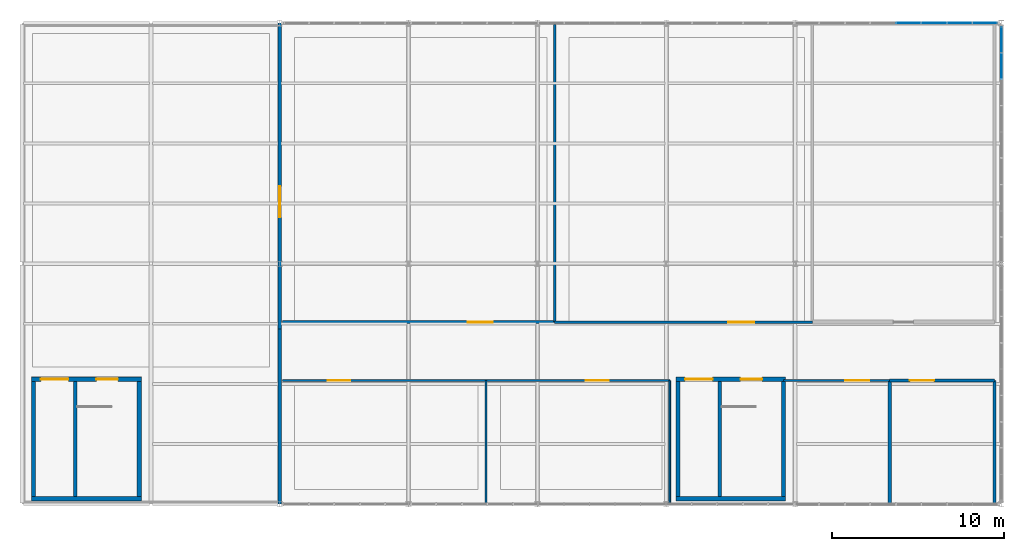
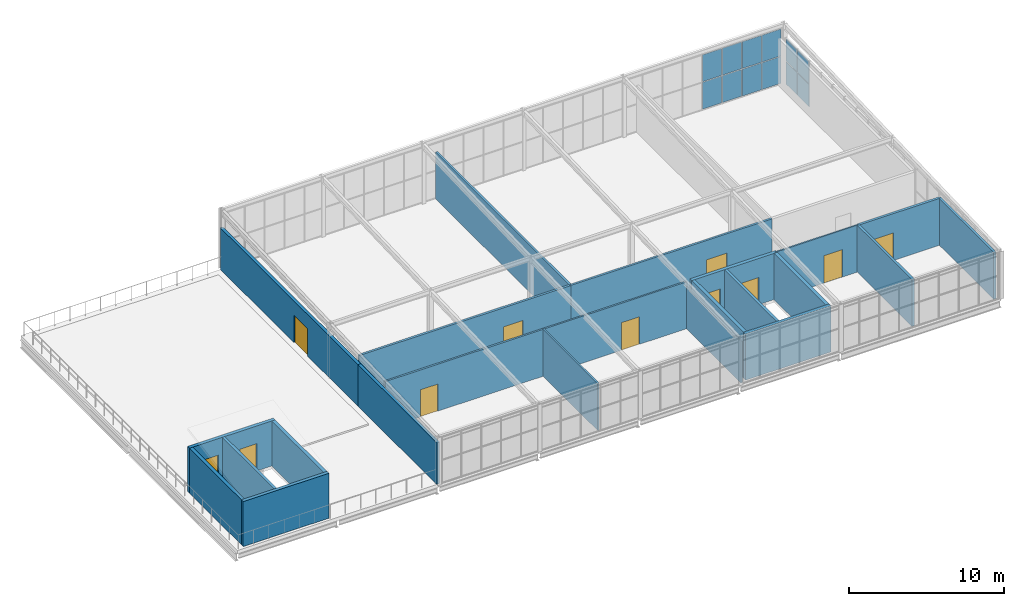
# One storey, part 25 of 27: 23 walls, 12 plates, 11 doors, 11 openings, 2 elements without a shape of their own.
"""IFC4 building model written with IfcOpenShell, lengths in metres."""

from ifc_helpers import new_model, si_unit, direction, frame, frame_2d, origin, origin_2d, place, context, subcontext, project, spatial, rectangle, extrude, material, layer, layer_set, type_object, element, fill, aggregate, save


model = new_model("IFC4")

# Units and contexts
model_context = context("Model", 3, precision=1e-05, world=origin(), true_north=direction((0.0, 1.0)))
body_context = subcontext(model_context, "Body", "Model", "MODEL_VIEW")
ifc_project = project(units=[si_unit("LENGTHUNIT", "METRE"), si_unit("AREAUNIT", "SQUARE_METRE"), si_unit("VOLUMEUNIT", "CUBIC_METRE"), si_unit("PLANEANGLEUNIT", "RADIAN"), si_unit("MASSUNIT", "GRAM", prefix="KILO")], contexts=[model_context])

# Site, building, storey
site_placement = place(None, origin())
site = spatial("IfcSite", under=ifc_project, at=site_placement, CompositionType="ELEMENT")
building_placement = place(site_placement, origin())
building = spatial("IfcBuilding", under=site, at=building_placement, Name="Solvenia Promenade Tram Depot", CompositionType="ELEMENT")
storey_placement = place(building_placement, frame((0.0, 0.0, 13.5)))
storey = spatial("IfcBuildingStorey", under=building, at=storey_placement, Name="L03", CompositionType="ELEMENT", Elevation=13.5)

# Curtain wall, plates
ifc_material_1 = material(Name="Anodized aluminium AW-6063 T6", Category="aluminium")
ifc_layer_1 = layer(ifc_material_1, 0.199951171875, Name="Anodized aluminium AW-6063 T6", Category="aluminium")
ifc_layer_set_1 = layer_set([ifc_layer_1], Name="Anodized aluminium AW-6063 T6")
curtain_wall_type = type_object("IfcCurtainWallType", Name="CW-OCC-1500", PredefinedType="NOTDEFINED", material=ifc_layer_set_1)
curtain_wall_1_placement = place(storey_placement, origin())
curtain_wall_1 = element("IfcCurtainWall", 1, at=curtain_wall_1_placement, inside=storey, type_object=curtain_wall_type, Name="Curtain Wall CW-L03-V2N", PredefinedType="NOTDEFINED")
ifc_material_2 = material(Name="Double low-e argon insulated glass", Category="glass")
ifc_layer_2 = layer(ifc_material_2, 0.031982421875, Name="Double low-e argon insulated glass", Category="glass")
ifc_layer_set_2 = layer_set([ifc_layer_2], Name="Double low-e argon insulated glass")
plate_type_1 = type_object("IfcPlateType", Name="CWP-Panel-2", PredefinedType="CURTAIN_PANEL", material=ifc_layer_set_2)
plate_1_placement = place(storey_placement, frame((156.60009765625, 66.0, 0.05517578125), z_axis=(0.0, 0.0, 1.0), x_axis=(1.0, 0.0, 0.0)))
plate_1 = element("IfcPlate", 2, at=plate_1_placement, type_object=plate_type_1, Name="CW-8 panel 25.1", PredefinedType="CURTAIN_PANEL", context=body_context, shape_type="SweptSolid", body=[
    extrude(rectangle(XDim=1.4306640625, YDim=0.031982421875, at=origin_2d()), origin(), (0.0, 0.0, 1.0), 2.117431640625),
])
plate_2_placement = place(storey_placement, frame((156.60009765625, 66.0, 2.2275390625), z_axis=(0.0, 0.0, 1.0), x_axis=(1.0, 0.0, 0.0)))
plate_2 = element("IfcPlate", 3, at=plate_2_placement, type_object=plate_type_1, Name="CW-8 panel 25.2", PredefinedType="CURTAIN_PANEL", context=body_context, shape_type="SweptSolid", body=[
    extrude(rectangle(XDim=1.4306640625, YDim=0.031982421875, at=origin_2d()), origin(), (0.0, 0.0, 1.0), 2.117431640625),
])
plate_3_placement = place(storey_placement, frame((158.085693359375, 66.0, 0.05517578125), z_axis=(0.0, 0.0, 1.0), x_axis=(1.0, 0.0, 0.0)))
plate_3 = element("IfcPlate", 4, at=plate_3_placement, type_object=plate_type_1, Name="CW-8 panel 26.1", PredefinedType="CURTAIN_PANEL", context=body_context, shape_type="SweptSolid", body=[
    extrude(rectangle(XDim=1.4306640625, YDim=0.031982421875, at=origin_2d()), origin(), (0.0, 0.0, 1.0), 2.117431640625),
])
plate_4_placement = place(storey_placement, frame((158.085693359375, 66.0, 2.2275390625), z_axis=(0.0, 0.0, 1.0), x_axis=(1.0, 0.0, 0.0)))
plate_4 = element("IfcPlate", 5, at=plate_4_placement, type_object=plate_type_1, Name="CW-8 panel 26.2", PredefinedType="CURTAIN_PANEL", context=body_context, shape_type="SweptSolid", body=[
    extrude(rectangle(XDim=1.4306640625, YDim=0.031982421875, at=origin_2d()), origin(), (0.0, 0.0, 1.0), 2.117431640625),
])
plate_5_placement = place(storey_placement, frame((159.571533203125, 66.0, 0.05517578125), z_axis=(0.0, 0.0, 1.0), x_axis=(1.0, 0.0, 0.0)))
plate_5 = element("IfcPlate", 6, at=plate_5_placement, type_object=plate_type_1, Name="CW-8 panel 27.1", PredefinedType="CURTAIN_PANEL", context=body_context, shape_type="SweptSolid", body=[
    extrude(rectangle(XDim=1.4306640625, YDim=0.031982421875, at=origin_2d()), origin(), (0.0, 0.0, 1.0), 2.117431640625),
])
plate_6_placement = place(storey_placement, frame((159.571533203125, 66.0, 2.2275390625), z_axis=(0.0, 0.0, 1.0), x_axis=(1.0, 0.0, 0.0)))
plate_6 = element("IfcPlate", 7, at=plate_6_placement, type_object=plate_type_1, Name="CW-8 panel 27.2", PredefinedType="CURTAIN_PANEL", context=body_context, shape_type="SweptSolid", body=[
    extrude(rectangle(XDim=1.4306640625, YDim=0.031982421875, at=origin_2d()), origin(), (0.0, 0.0, 1.0), 2.117431640625),
])
plate_7_placement = place(storey_placement, frame((161.04345703125, 66.0, 0.05517578125), z_axis=(0.0, 0.0, 1.0), x_axis=(1.0, 0.0, 0.0)))
plate_7 = element("IfcPlate", 8, at=plate_7_placement, type_object=plate_type_1, Name="CW-8 panel 28.1", PredefinedType="CURTAIN_PANEL", context=body_context, shape_type="SweptSolid", body=[
    extrude(rectangle(XDim=1.4033203125, YDim=0.031982421875, at=origin_2d()), origin(), (0.0, 0.0, 1.0), 2.117431640625),
])
plate_8_placement = place(storey_placement, frame((161.04345703125, 66.0, 2.2275390625), z_axis=(0.0, 0.0, 1.0), x_axis=(1.0, 0.0, 0.0)))
plate_8 = element("IfcPlate", 9, at=plate_8_placement, type_object=plate_type_1, Name="CW-8 panel 28.2", PredefinedType="CURTAIN_PANEL", context=body_context, shape_type="SweptSolid", body=[
    extrude(rectangle(XDim=1.4033203125, YDim=0.031982421875, at=origin_2d()), origin(), (0.0, 0.0, 1.0), 2.117431640625),
])
aggregate(curtain_wall_1, [plate_1, plate_2, plate_3, plate_4, plate_5, plate_6, plate_7, plate_8])

curtain_wall_2_placement = place(storey_placement, origin())
curtain_wall_2 = element("IfcCurtainWall", 10, at=curtain_wall_2_placement, inside=storey, type_object=curtain_wall_type, Name="Curtain Wall CW-L03-V2E", PredefinedType="NOTDEFINED")
ifc_layer_3 = layer(ifc_material_2, 0.035888671875, Name="Double low-e argon insulated glass", Category="glass")
ifc_layer_set_3 = layer_set([ifc_layer_3], Name="Double low-e argon insulated glass")
plate_type_2 = type_object("IfcPlateType", Name="CWP-Panel-3", PredefinedType="CURTAIN_PANEL", material=ifc_layer_set_3)
plate_9_placement = place(storey_placement, frame((162.0, 63.5, 0.05810546875), z_axis=(0.0, 0.0, 1.0), x_axis=(0.0, 1.0, 0.0)))
plate_9 = element("IfcPlate", 11, at=plate_9_placement, type_object=plate_type_2, Name="CW-8 panel 17.1", PredefinedType="CURTAIN_PANEL", context=body_context, shape_type="SweptSolid", body=[
    extrude(rectangle(XDim=1.4853515625, YDim=0.035888671875, at=origin_2d()), origin(), (0.0, 0.0, 1.0), 1.762939453125),
])
plate_10_placement = place(storey_placement, frame((162.0, 63.5, 1.87890625), z_axis=(0.0, 0.0, 1.0), x_axis=(0.0, 1.0, 0.0)))
plate_10 = element("IfcPlate", 12, at=plate_10_placement, type_object=plate_type_2, Name="CW-8 panel 17.2", PredefinedType="CURTAIN_PANEL", context=body_context, shape_type="SweptSolid", body=[
    extrude(rectangle(XDim=1.4853515625, YDim=0.035888671875, at=origin_2d()), origin(), (0.0, 0.0, 1.0), 1.762939453125),
])
plate_11_placement = place(storey_placement, frame((162.0, 65.021240234375, 0.05810546875), z_axis=(0.0, 0.0, 1.0), x_axis=(0.0, 1.0, 0.0)))
plate_11 = element("IfcPlate", 13, at=plate_11_placement, type_object=plate_type_2, Name="CW-8 panel 18.1", PredefinedType="CURTAIN_PANEL", context=body_context, shape_type="SweptSolid", body=[
    extrude(rectangle(XDim=1.46142578125, YDim=0.035888671875, at=origin_2d()), origin(), (0.0, 0.0, 1.0), 1.762939453125),
])
plate_12_placement = place(storey_placement, frame((162.0, 65.021240234375, 1.87890625), z_axis=(0.0, 0.0, 1.0), x_axis=(0.0, 1.0, 0.0)))
plate_12 = element("IfcPlate", 14, at=plate_12_placement, type_object=plate_type_2, Name="CW-8 panel 18.2", PredefinedType="CURTAIN_PANEL", context=body_context, shape_type="SweptSolid", body=[
    extrude(rectangle(XDim=1.46142578125, YDim=0.035888671875, at=origin_2d()), origin(), (0.0, 0.0, 1.0), 1.762939453125),
])
aggregate(curtain_wall_2, [plate_9, plate_10, plate_11, plate_12])

# Wall, opening, door
ifc_material_3 = material(Name="Concrete C35/45", Category="concrete")
ifc_layer_4 = layer(ifc_material_3, 0.219970703125, Name="Concrete C35/45", Category="concrete")
ifc_layer_set_4 = layer_set([ifc_layer_4], Name="Concrete C35/45")
wall_type_1 = type_object("IfcWallType", Name="Wall-Clad-220", PredefinedType="SOLIDWALL", material=ifc_layer_set_4)
wall_1_placement = place(storey_placement, frame((120.0, 48.199951171875, 0.0), z_axis=(0.0, 0.0, 1.0), x_axis=(0.0, 1.0, 0.0)))
wall_1 = element("IfcWall", 15, at=wall_1_placement, inside=storey, type_object=wall_type_1, Name="Operations Control Hub West Terrace Wall EW-L03-067", PredefinedType="SOLIDWALL", context=body_context, shape_type="SweptSolid", body=[
    extrude(rectangle(XDim=17.800048828125, YDim=0.219970703125, at=frame_2d((8.89990234375, 0.0))), origin(), (0.0, 0.0, 1.0), 3.284912109375),
])
opening_1_placement = place(wall_1_placement, frame((6.5, 0.0, 0.0)))
opening_1 = element("IfcOpeningElement", 16, at=opening_1_placement, cuts=wall_1, Name="Opening TD-03", PredefinedType="OPENING", context=body_context, shape_type="SweptSolid", body=[
    extrude(rectangle(XDim=1.800048828125, YDim=2.14990234375, at=frame_2d((0.89990234375, 1.074951171875))), frame((0.0, 0.119873046875, 0.0), z_axis=(0.0, -1.0, 0.0), x_axis=(1.0, 0.0, 0.0)), (0.0, 0.0, 1.0), 0.239990234375),
])
door_type_1 = type_object("IfcDoorType", Name="Door-Terr-1800x2150", OperationType="NOTDEFINED", PredefinedType="DOOR", material=ifc_material_1)
door_1_placement = place(opening_1_placement, origin())
door_1 = element("IfcDoor", 17, at=door_1_placement, inside=storey, type_object=door_type_1, Name="Workshop Roof Garden Terrace Door", OperationType="SINGLE_SWING_LEFT", OverallHeight=2.14990234375, OverallWidth=1.800048828125, PredefinedType="DOOR", context=body_context, shape_type="SweptSolid", body=[
    extrude(rectangle(XDim=1.800048828125, YDim=2.14990234375, at=frame_2d((0.89990234375, 1.074951171875))), frame((0.0, 0.02490234375, 0.0), z_axis=(0.0, -1.0, 0.0), x_axis=(1.0, 0.0, 0.0)), (0.0, 0.0, 1.0), 0.050048828125),
])
fill(opening_1, door_1)

# Walls
wall_2_placement = place(storey_placement, frame((120.0, 38.0, 0.0), z_axis=(0.0, 0.0, 1.0), x_axis=(0.0, 1.0, 0.0)))
element("IfcWall", 18, at=wall_2_placement, inside=storey, type_object=wall_type_1, Name="Control Hub South-West Wall EW-L03-068", PredefinedType="SOLIDWALL", context=body_context, shape_type="SweptSolid", body=[
    extrude(rectangle(XDim=10.199951171875, YDim=0.219970703125, at=frame_2d((5.10009765625, 0.0))), origin(), (0.0, 0.0, 1.0), 3.284912109375),
])
ifc_material_4 = material(Name="Concrete C28/35", Category="concrete")
ifc_layer_5 = layer(ifc_material_4, 0.25, Name="Concrete C28/35", Category="concrete")
ifc_layer_set_5 = layer_set([ifc_layer_5], Name="Concrete C28/35")
wall_type_2 = type_object("IfcWallType", Name="Wall-Core-250", PredefinedType="SHEAR", material=ifc_layer_set_5)
wall_3_placement = place(storey_placement, frame((105.550048828125, 38.324951171875, 0.0), z_axis=(0.0, 0.0, 1.0), x_axis=(1.0, 0.0, 0.0)))
element("IfcWall", 19, at=wall_3_placement, inside=storey, type_object=wall_type_2, Name="Core C5 Shear Wall WC-C5-L03-S", PredefinedType="SHEAR", context=body_context, shape_type="SweptSolid", body=[
    extrude(rectangle(XDim=6.39990234375, YDim=0.25, at=frame_2d((3.199951171875, 0.0))), origin(), (0.0, 0.0, 1.0), 3.550048828125),
])

# Wall, openings, doors
wall_4_placement = place(storey_placement, frame((105.550048828125, 45.27490234375, 0.0), z_axis=(0.0, 0.0, 1.0), x_axis=(1.0, 0.0, 0.0)))
wall_4 = element("IfcWall", 20, at=wall_4_placement, inside=storey, type_object=wall_type_2, Name="Core C5 Shear Wall WC-C5-L03-N", PredefinedType="SHEAR", context=body_context, shape_type="SweptSolid", body=[
    extrude(rectangle(XDim=6.39990234375, YDim=0.25, at=frame_2d((3.199951171875, 0.0))), origin(), (0.0, 0.0, 1.0), 3.550048828125),
])
opening_2_placement = place(wall_4_placement, frame((0.550048828125, 0.0, 0.0)))
opening_2 = element("IfcOpeningElement", 21, at=opening_2_placement, cuts=wall_4, Name="Opening LD-05", PredefinedType="OPENING", context=body_context, shape_type="SweptSolid", body=[
    extrude(rectangle(XDim=1.60009765625, YDim=2.25, at=frame_2d((0.800048828125, 1.125))), frame((0.0, 0.135009765625, 0.0), z_axis=(0.0, -1.0, 0.0), x_axis=(1.0, 0.0, 0.0)), (0.0, 0.0, 1.0), 0.27001953125),
])
opening_3_placement = place(wall_4_placement, frame((3.77490234375, 0.0, 0.0)))
opening_3 = element("IfcOpeningElement", 22, at=opening_3_placement, cuts=wall_4, Name="Opening D-FD90", PredefinedType="OPENING", context=body_context, shape_type="SweptSolid", body=[
    extrude(rectangle(XDim=1.25, YDim=2.14990234375, at=frame_2d((0.625, 1.074951171875))), frame((0.0, 0.135009765625, 0.0), z_axis=(0.0, -1.0, 0.0), x_axis=(1.0, 0.0, 0.0)), (0.0, 0.0, 1.0), 0.27001953125),
])
ifc_material_5 = material(Name="Galvanized painted sheet steel", Category="steel")
door_type_2 = type_object("IfcDoorType", Name="Door-Lift-Goods-1600", OperationType="DOUBLE_DOOR_SLIDING", PredefinedType="DOOR", material=ifc_material_5)
door_2_placement = place(opening_2_placement, origin())
door_2 = element("IfcDoor", 23, at=door_2_placement, inside=storey, type_object=door_type_2, Name="Lift Landing Door LG-01 L03", OperationType="DOUBLE_DOOR_SLIDING", OverallHeight=2.25, OverallWidth=1.60009765625, PredefinedType="DOOR", context=body_context, shape_type="SweptSolid", body=[
    extrude(rectangle(XDim=1.60009765625, YDim=2.25, at=frame_2d((0.800048828125, 1.125))), frame((0.0, 0.02490234375, 0.0), z_axis=(0.0, -1.0, 0.0), x_axis=(1.0, 0.0, 0.0)), (0.0, 0.0, 1.0), 0.050048828125),
])
fill(opening_2, door_2)
door_type_3 = type_object("IfcDoorType", Name="Door-Stair-FD90", OperationType="NOTDEFINED", PredefinedType="DOOR", material=ifc_material_5)
door_3_placement = place(opening_3_placement, origin())
door_3 = element("IfcDoor", 24, at=door_3_placement, inside=storey, type_object=door_type_3, Name="Exit Stair Door C5 L03", OperationType="SINGLE_SWING_LEFT", OverallHeight=2.14990234375, OverallWidth=1.25, PredefinedType="DOOR", context=body_context, shape_type="SweptSolid", body=[
    extrude(rectangle(XDim=1.25, YDim=2.14990234375, at=frame_2d((0.625, 1.074951171875))), frame((0.0, 0.02490234375, 0.0), z_axis=(0.0, -1.0, 0.0), x_axis=(1.0, 0.0, 0.0)), (0.0, 0.0, 1.0), 0.050048828125),
])
fill(opening_3, door_3)

# Walls
for number, where, z_axis, x_axis, name in (
    (25, (105.675048828125, 38.449951171875, 0.0), (0.0, 0.0, 1.0), (0.0, 1.0, 0.0), "Core C5 Shear Wall WC-C5-L03-W"),
    (26, (111.824951171875, 38.449951171875, 0.0), (0.0, 0.0, 1.0), (0.0, 1.0, 0.0), "Core C5 Shear Wall WC-C5-L03-E"),
):
    element("IfcWall", number, at=place(storey_placement, frame(where, z_axis=z_axis, x_axis=x_axis)), inside=storey, type_object=wall_type_2, Name=name, PredefinedType="SHEAR", context=body_context, shape_type="SweptSolid", body=[
        extrude(rectangle(XDim=6.699951171875, YDim=0.25, at=frame_2d((3.35009765625, 0.0))), origin(), (0.0, 0.0, 1.0), 3.550048828125),
    ])
wall_5_placement = place(storey_placement, frame((143.050048828125, 38.324951171875, 0.0), z_axis=(0.0, 0.0, 1.0), x_axis=(1.0, 0.0, 0.0)))
element("IfcWall", 27, at=wall_5_placement, inside=storey, type_object=wall_type_2, Name="Core C6 Shear Wall WC-C6-L03-S", PredefinedType="SHEAR", context=body_context, shape_type="SweptSolid", body=[
    extrude(rectangle(XDim=6.39990234375, YDim=0.25, at=frame_2d((3.199951171875, 0.0))), origin(), (0.0, 0.0, 1.0), 3.64990234375),
])

# Wall, openings, doors
wall_6_placement = place(storey_placement, frame((143.050048828125, 45.27490234375, 0.0), z_axis=(0.0, 0.0, 1.0), x_axis=(1.0, 0.0, 0.0)))
wall_6 = element("IfcWall", 28, at=wall_6_placement, inside=storey, type_object=wall_type_2, Name="Core C6 Shear Wall WC-C6-L03-N", PredefinedType="SHEAR", context=body_context, shape_type="SweptSolid", body=[
    extrude(rectangle(XDim=6.39990234375, YDim=0.25, at=frame_2d((3.199951171875, 0.0))), origin(), (0.0, 0.0, 1.0), 3.64990234375),
])
opening_4_placement = place(wall_6_placement, frame((0.550048828125, 0.0, 0.0)))
opening_4 = element("IfcOpeningElement", 29, at=opening_4_placement, cuts=wall_6, Name="Opening LD-06", PredefinedType="OPENING", context=body_context, shape_type="SweptSolid", body=[
    extrude(rectangle(XDim=1.60009765625, YDim=2.25, at=frame_2d((0.800048828125, 1.125))), frame((0.0, 0.135009765625, 0.0), z_axis=(0.0, -1.0, 0.0), x_axis=(1.0, 0.0, 0.0)), (0.0, 0.0, 1.0), 0.27001953125),
])
opening_5_placement = place(wall_6_placement, frame((3.77490234375, 0.0, 0.0)))
opening_5 = element("IfcOpeningElement", 30, at=opening_5_placement, cuts=wall_6, Name="Opening D-FD90", PredefinedType="OPENING", context=body_context, shape_type="SweptSolid", body=[
    extrude(rectangle(XDim=1.25, YDim=2.14990234375, at=frame_2d((0.625, 1.074951171875))), frame((0.0, 0.135009765625, 0.0), z_axis=(0.0, -1.0, 0.0), x_axis=(1.0, 0.0, 0.0)), (0.0, 0.0, 1.0), 0.27001953125),
])
door_4_placement = place(opening_4_placement, origin())
door_4 = element("IfcDoor", 31, at=door_4_placement, inside=storey, type_object=door_type_2, Name="Lift Landing Door LG-02 L03", OperationType="DOUBLE_DOOR_SLIDING", OverallHeight=2.25, OverallWidth=1.60009765625, PredefinedType="DOOR", context=body_context, shape_type="SweptSolid", body=[
    extrude(rectangle(XDim=1.60009765625, YDim=2.25, at=frame_2d((0.800048828125, 1.125))), frame((0.0, 0.02490234375, 0.0), z_axis=(0.0, -1.0, 0.0), x_axis=(1.0, 0.0, 0.0)), (0.0, 0.0, 1.0), 0.050048828125),
])
fill(opening_4, door_4)
door_5_placement = place(opening_5_placement, frame((1.25, 0.0, 0.0), z_axis=(0.0, 0.0, 1.0), x_axis=(-1.0, 0.0, 0.0)))
door_5 = element("IfcDoor", 32, at=door_5_placement, inside=storey, type_object=door_type_3, Name="Exit Stair Door C6 L03", OperationType="SINGLE_SWING_RIGHT", OverallHeight=2.14990234375, OverallWidth=1.25, PredefinedType="DOOR", context=body_context, shape_type="SweptSolid", body=[
    extrude(rectangle(XDim=1.25, YDim=2.14990234375, at=frame_2d((0.625, 1.074951171875))), frame((0.0, 0.02490234375, 0.0), z_axis=(0.0, -1.0, 0.0), x_axis=(1.0, 0.0, 0.0)), (0.0, 0.0, 1.0), 0.050048828125),
])
fill(opening_5, door_5)

# Walls
for number, where, z_axis, x_axis, name in (
    (33, (143.175048828125, 38.449951171875, 0.0), (0.0, 0.0, 1.0), (0.0, 1.0, 0.0), "Core C6 Shear Wall WC-C6-L03-W"),
    (34, (149.324951171875, 38.449951171875, 0.0), (0.0, 0.0, 1.0), (0.0, 1.0, 0.0), "Core C6 Shear Wall WC-C6-L03-E"),
):
    element("IfcWall", number, at=place(storey_placement, frame(where, z_axis=z_axis, x_axis=x_axis)), inside=storey, type_object=wall_type_2, Name=name, PredefinedType="SHEAR", context=body_context, shape_type="SweptSolid", body=[
        extrude(rectangle(XDim=6.699951171875, YDim=0.25, at=frame_2d((3.35009765625, 0.0))), origin(), (0.0, 0.0, 1.0), 3.64990234375),
    ])
ifc_material_6 = material(Name="Concrete blockwork masonry", Category="masonry")
ifc_layer_6 = layer(ifc_material_6, 0.152099609375, Name="Concrete blockwork masonry", Category="masonry")
ifc_layer_set_6 = layer_set([ifc_layer_6], Name="Concrete blockwork masonry")
wall_type_3 = type_object("IfcWallType", Name="Wall-Masonry-152", PredefinedType="PARTITIONING", material=ifc_layer_set_6)
wall_7_placement = place(storey_placement, frame((136.0, 48.60009765625, 0.0), z_axis=(0.0, 0.0, 1.0), x_axis=(0.0, 1.0, 0.0)))
element("IfcWall", 35, at=wall_7_placement, inside=storey, type_object=wall_type_3, Name="Operations Control Room Dividing Wall WP-L03-124", PredefinedType="PARTITIONING", context=body_context, shape_type="SweptSolid", body=[
    extrude(rectangle(XDim=17.31982421875, YDim=0.152099609375, at=frame_2d((8.659912109375, 0.0))), origin(), (0.0, 0.0, 1.0), 3.699951171875),
])

# Wall, opening, door
wall_8_placement = place(storey_placement, frame((136.0, 48.60009765625, 0.0), z_axis=(0.0, 0.0, 1.0), x_axis=(1.0, 0.0, 0.0)))
wall_8 = element("IfcWall", 36, at=wall_8_placement, inside=storey, type_object=wall_type_3, Name="Tram Simulator Hall Partition WP-L03-125", PredefinedType="PARTITIONING", context=body_context, shape_type="SweptSolid", body=[
    extrude(rectangle(XDim=15.0, YDim=0.152099609375, at=frame_2d((7.5, 0.0))), origin(), (0.0, 0.0, 1.0), 3.699951171875),
])
opening_6_placement = place(wall_8_placement, frame((10.110107421875, 0.0, 0.0)))
opening_6 = element("IfcOpeningElement", 37, at=opening_6_placement, cuts=wall_8, Name="Opening DR-28", PredefinedType="OPENING", context=body_context, shape_type="SweptSolid", body=[
    extrude(rectangle(XDim=1.52001953125, YDim=2.179931640625, at=frame_2d((0.760009765625, 1.08984375))), frame((0.0, 0.0859375, 0.0), z_axis=(0.0, -1.0, 0.0), x_axis=(1.0, 0.0, 0.0)), (0.0, 0.0, 1.0), 0.172119140625),
])
door_type_4 = type_object("IfcDoorType", Name="Door-Room-1520x2180", OperationType="NOTDEFINED", PredefinedType="DOOR", material=ifc_material_5)
door_6_placement = place(opening_6_placement, origin())
door_6 = element("IfcDoor", 38, at=door_6_placement, inside=storey, type_object=door_type_4, Name="Door to Tram Simulator Hall", OperationType="SINGLE_SWING_RIGHT", OverallHeight=2.179931640625, OverallWidth=1.52001953125, PredefinedType="DOOR", context=body_context, shape_type="SweptSolid", body=[
    extrude(rectangle(XDim=1.52001953125, YDim=2.179931640625, at=frame_2d((0.760009765625, 1.08984375))), frame((0.0, 0.02490234375, 0.0), z_axis=(0.0, -1.0, 0.0), x_axis=(1.0, 0.0, 0.0)), (0.0, 0.0, 1.0), 0.050048828125),
])
fill(opening_6, door_6)

# Wall
ifc_layer_7 = layer(ifc_material_6, 0.16796875, Name="Concrete blockwork masonry", Category="masonry")
ifc_layer_set_7 = layer_set([ifc_layer_7], Name="Concrete blockwork masonry")
wall_type_4 = type_object("IfcWallType", Name="Wall-Masonry-168", PredefinedType="PARTITIONING", material=ifc_layer_set_7)
wall_9_placement = place(storey_placement, frame((161.60009765625, 38.080078125, 0.0), z_axis=(0.0, 0.0, 1.0), x_axis=(0.0, 1.0, 0.0)))
element("IfcWall", 39, at=wall_9_placement, inside=storey, type_object=wall_type_4, Name="Third Floor Accessible WC Dividing Wall WP-L03-122", PredefinedType="PARTITIONING", context=body_context, shape_type="SweptSolid", body=[
    extrude(rectangle(XDim=7.119873046875, YDim=0.16796875, at=frame_2d((3.56005859375, 0.0))), origin(), (0.0, 0.0, 1.0), 3.699951171875),
])

# Wall, opening, door
wall_10_placement = place(storey_placement, frame((120.159912109375, 48.60009765625, 0.0), z_axis=(0.0, 0.0, 1.0), x_axis=(1.0, 0.0, 0.0)))
wall_10 = element("IfcWall", 40, at=wall_10_placement, inside=storey, type_object=wall_type_4, Name="Operations Control Room Partition WP-L03-123", PredefinedType="PARTITIONING", context=body_context, shape_type="SweptSolid", body=[
    extrude(rectangle(XDim=15.840087890625, YDim=0.16796875, at=frame_2d((7.919921875, 0.0))), origin(), (0.0, 0.0, 1.0), 3.699951171875),
])
opening_7_placement = place(wall_10_placement, frame((10.784912109375, 0.0, 0.0)))
opening_7 = element("IfcOpeningElement", 41, at=opening_7_placement, cuts=wall_10, Name="Opening DR-27", PredefinedType="OPENING", context=body_context, shape_type="SweptSolid", body=[
    extrude(rectangle(XDim=1.4599609375, YDim=2.199951171875, at=frame_2d((0.72998046875, 1.10009765625))), frame((0.0, 0.093994140625, 0.0), z_axis=(0.0, -1.0, 0.0), x_axis=(1.0, 0.0, 0.0)), (0.0, 0.0, 1.0), 0.18798828125),
])
door_type_5 = type_object("IfcDoorType", Name="Door-Room-1460x2200", OperationType="NOTDEFINED", PredefinedType="DOOR", material=ifc_material_5)
door_7_placement = place(opening_7_placement, origin())
door_7 = element("IfcDoor", 42, at=door_7_placement, inside=storey, type_object=door_type_5, Name="Door to Operations Control Room", OperationType="SINGLE_SWING_LEFT", OverallHeight=2.199951171875, OverallWidth=1.4599609375, PredefinedType="DOOR", context=body_context, shape_type="SweptSolid", body=[
    extrude(rectangle(XDim=1.4599609375, YDim=2.199951171875, at=frame_2d((0.72998046875, 1.10009765625))), frame((0.0, 0.02490234375, 0.0), z_axis=(0.0, -1.0, 0.0), x_axis=(1.0, 0.0, 0.0)), (0.0, 0.0, 1.0), 0.050048828125),
])
fill(opening_7, door_7)

# Wall
ifc_layer_8 = layer(ifc_material_6, 0.18505859375, Name="Concrete blockwork masonry", Category="masonry")
ifc_layer_set_8 = layer_set([ifc_layer_8], Name="Concrete blockwork masonry")
wall_type_5 = type_object("IfcWallType", Name="Wall-Masonry-185", PredefinedType="PARTITIONING", material=ifc_layer_set_8)
wall_11_placement = place(storey_placement, frame((155.5, 38.080078125, 0.0), z_axis=(0.0, 0.0, 1.0), x_axis=(0.0, 1.0, 0.0)))
element("IfcWall", 43, at=wall_11_placement, inside=storey, type_object=wall_type_5, Name="Third Floor Staff WC Dividing Wall WP-L03-120", PredefinedType="PARTITIONING", context=body_context, shape_type="SweptSolid", body=[
    extrude(rectangle(XDim=7.119873046875, YDim=0.18505859375, at=frame_2d((3.56005859375, 0.0))), origin(), (0.0, 0.0, 1.0), 3.699951171875),
])

# Wall, opening, door
wall_12_placement = place(storey_placement, frame((155.5, 45.199951171875, 0.0), z_axis=(0.0, 0.0, 1.0), x_axis=(1.0, 0.0, 0.0)))
wall_12 = element("IfcWall", 44, at=wall_12_placement, inside=storey, type_object=wall_type_5, Name="Third Floor Accessible WC Partition WP-L03-121", PredefinedType="PARTITIONING", context=body_context, shape_type="SweptSolid", body=[
    extrude(rectangle(XDim=6.10009765625, YDim=0.18505859375, at=frame_2d((3.050048828125, 0.0))), origin(), (0.0, 0.0, 1.0), 3.699951171875),
])
opening_8_placement = place(wall_12_placement, frame((1.169921875, 0.0, 0.0)))
opening_8 = element("IfcOpeningElement", 45, at=opening_8_placement, cuts=wall_12, Name="Opening DR-26", PredefinedType="OPENING", context=body_context, shape_type="SweptSolid", body=[
    extrude(rectangle(XDim=1.419921875, YDim=2.179931640625, at=frame_2d((0.7099609375, 1.08984375))), frame((0.0, 0.1025390625, 0.0), z_axis=(0.0, -1.0, 0.0), x_axis=(1.0, 0.0, 0.0)), (0.0, 0.0, 1.0), 0.205078125),
])
door_type_6 = type_object("IfcDoorType", Name="Door-Room-1420x2180", OperationType="NOTDEFINED", PredefinedType="DOOR", material=ifc_material_5)
door_8_placement = place(opening_8_placement, origin())
door_8 = element("IfcDoor", 46, at=door_8_placement, inside=storey, type_object=door_type_6, Name="Door to Third Floor Accessible WC", OperationType="SINGLE_SWING_RIGHT", OverallHeight=2.179931640625, OverallWidth=1.419921875, PredefinedType="DOOR", context=body_context, shape_type="SweptSolid", body=[
    extrude(rectangle(XDim=1.419921875, YDim=2.179931640625, at=frame_2d((0.7099609375, 1.08984375))), frame((0.0, 0.02490234375, 0.0), z_axis=(0.0, -1.0, 0.0), x_axis=(1.0, 0.0, 0.0)), (0.0, 0.0, 1.0), 0.050048828125),
])
fill(opening_8, door_8)

# Wall
ifc_material_7 = material(Name="Gypsum board acoustic partition", Category="other")
ifc_layer_9 = layer(ifc_material_7, 0.10595703125, Name="Gypsum board acoustic partition", Category="other")
ifc_layer_set_9 = layer_set([ifc_layer_9], Name="Gypsum board acoustic partition")
wall_type_6 = type_object("IfcWallType", Name="Wall-Part-106", PredefinedType="PARTITIONING", material=ifc_layer_set_9)
wall_13_placement = place(storey_placement, frame((142.699951171875, 38.080078125, 0.0), z_axis=(0.0, 0.0, 1.0), x_axis=(0.0, 1.0, 0.0)))
element("IfcWall", 47, at=wall_13_placement, inside=storey, type_object=wall_type_6, Name="Network Telemetry Office Dividing Wall WP-L03-118", PredefinedType="PARTITIONING", context=body_context, shape_type="SweptSolid", body=[
    extrude(rectangle(XDim=7.119873046875, YDim=0.10595703125, at=frame_2d((3.56005859375, 0.0))), origin(), (0.0, 0.0, 1.0), 3.284912109375),
])

# Wall, opening, door
wall_14_placement = place(storey_placement, frame((149.324951171875, 45.199951171875, 0.0), z_axis=(0.0, 0.0, 1.0), x_axis=(1.0, 0.0, 0.0)))
wall_14 = element("IfcWall", 48, at=wall_14_placement, inside=storey, type_object=wall_type_6, Name="Third Floor Staff WC Partition WP-L03-119", PredefinedType="PARTITIONING", context=body_context, shape_type="SweptSolid", body=[
    extrude(rectangle(XDim=6.175048828125, YDim=0.10595703125, at=frame_2d((3.08740234375, 0.0))), origin(), (0.0, 0.0, 1.0), 3.699951171875),
])
opening_9_placement = place(wall_14_placement, frame((3.595947265625, 0.0, 0.0)))
opening_9 = element("IfcOpeningElement", 49, at=opening_9_placement, cuts=wall_14, Name="Opening DR-25", PredefinedType="OPENING", context=body_context, shape_type="SweptSolid", body=[
    extrude(rectangle(XDim=1.3798828125, YDim=2.159912109375, at=frame_2d((0.68994140625, 1.080078125))), frame((0.0, 0.06298828125, 0.0), z_axis=(0.0, -1.0, 0.0), x_axis=(1.0, 0.0, 0.0)), (0.0, 0.0, 1.0), 0.1259765625),
])
door_type_7 = type_object("IfcDoorType", Name="Door-Room-1380x2160", OperationType="NOTDEFINED", PredefinedType="DOOR", material=ifc_material_5)
door_9_placement = place(opening_9_placement, origin())
door_9 = element("IfcDoor", 50, at=door_9_placement, inside=storey, type_object=door_type_7, Name="Door to Third Floor Staff WC", OperationType="SINGLE_SWING_LEFT", OverallHeight=2.159912109375, OverallWidth=1.3798828125, PredefinedType="DOOR", context=body_context, shape_type="SweptSolid", body=[
    extrude(rectangle(XDim=1.3798828125, YDim=2.159912109375, at=frame_2d((0.68994140625, 1.080078125))), frame((0.0, 0.02490234375, 0.0), z_axis=(0.0, -1.0, 0.0), x_axis=(1.0, 0.0, 0.0)), (0.0, 0.0, 1.0), 0.050048828125),
])
fill(opening_9, door_9)

# Wall
ifc_layer_10 = layer(ifc_material_7, 0.1220703125, Name="Gypsum board acoustic partition", Category="other")
ifc_layer_set_10 = layer_set([ifc_layer_10], Name="Gypsum board acoustic partition")
wall_type_7 = type_object("IfcWallType", Name="Wall-Part-122", PredefinedType="PARTITIONING", material=ifc_layer_set_10)
wall_15_placement = place(storey_placement, frame((132.0, 38.080078125, 0.0), z_axis=(0.0, 0.0, 1.0), x_axis=(0.0, 1.0, 0.0)))
element("IfcWall", 51, at=wall_15_placement, inside=storey, type_object=wall_type_7, Name="Incident Command Suite Dividing Wall WP-L03-116", PredefinedType="PARTITIONING", context=body_context, shape_type="SweptSolid", body=[
    extrude(rectangle(XDim=7.119873046875, YDim=0.1220703125, at=frame_2d((3.56005859375, 0.0))), origin(), (0.0, 0.0, 1.0), 3.699951171875),
])

# Wall, opening, door
wall_16_placement = place(storey_placement, frame((132.0, 45.199951171875, 0.0), z_axis=(0.0, 0.0, 1.0), x_axis=(1.0, 0.0, 0.0)))
wall_16 = element("IfcWall", 52, at=wall_16_placement, inside=storey, type_object=wall_type_7, Name="Network Telemetry Office Partition WP-L03-117", PredefinedType="PARTITIONING", context=body_context, shape_type="SweptSolid", body=[
    extrude(rectangle(XDim=10.699951171875, YDim=0.1220703125, at=frame_2d((5.35009765625, 0.0))), origin(), (0.0, 0.0, 1.0), 3.699951171875),
])
opening_10_placement = place(wall_16_placement, frame((5.802978515625, 0.0, 0.0)))
opening_10 = element("IfcOpeningElement", 53, at=opening_10_placement, cuts=wall_16, Name="Opening DR-24", PredefinedType="OPENING", context=body_context, shape_type="SweptSolid", body=[
    extrude(rectangle(XDim=1.340087890625, YDim=2.179931640625, at=frame_2d((0.669921875, 1.08984375))), frame((0.0, 0.071044921875, 0.0), z_axis=(0.0, -1.0, 0.0), x_axis=(1.0, 0.0, 0.0)), (0.0, 0.0, 1.0), 0.14208984375),
])
door_type_8 = type_object("IfcDoorType", Name="Door-Room-1340x2180", OperationType="NOTDEFINED", PredefinedType="DOOR", material=ifc_material_5)
door_10_placement = place(opening_10_placement, origin())
door_10 = element("IfcDoor", 54, at=door_10_placement, inside=storey, type_object=door_type_8, Name="Door to Network Telemetry Office", OperationType="SINGLE_SWING_RIGHT", OverallHeight=2.179931640625, OverallWidth=1.340087890625, PredefinedType="DOOR", context=body_context, shape_type="SweptSolid", body=[
    extrude(rectangle(XDim=1.340087890625, YDim=2.179931640625, at=frame_2d((0.669921875, 1.08984375))), frame((0.0, 0.02490234375, 0.0), z_axis=(0.0, -1.0, 0.0), x_axis=(1.0, 0.0, 0.0)), (0.0, 0.0, 1.0), 0.050048828125),
])
fill(opening_10, door_10)

ifc_layer_11 = layer(ifc_material_7, 0.137939453125, Name="Gypsum board acoustic partition", Category="other")
ifc_layer_set_11 = layer_set([ifc_layer_11], Name="Gypsum board acoustic partition")
wall_type_8 = type_object("IfcWallType", Name="Wall-Part-138", PredefinedType="PARTITIONING", material=ifc_layer_set_11)
wall_17_placement = place(storey_placement, frame((120.159912109375, 45.199951171875, 0.0), z_axis=(0.0, 0.0, 1.0), x_axis=(1.0, 0.0, 0.0)))
wall_17 = element("IfcWall", 55, at=wall_17_placement, inside=storey, type_object=wall_type_8, Name="Incident Command Suite Partition WP-L03-115", PredefinedType="PARTITIONING", context=body_context, shape_type="SweptSolid", body=[
    extrude(rectangle(XDim=11.840087890625, YDim=0.137939453125, at=frame_2d((5.919921875, 0.0))), origin(), (0.0, 0.0, 1.0), 3.699951171875),
])
opening_11_placement = place(wall_17_placement, frame((2.635009765625, 0.0, 0.0)))
opening_11 = element("IfcOpeningElement", 56, at=opening_11_placement, cuts=wall_17, Name="Opening DR-23", PredefinedType="OPENING", context=body_context, shape_type="SweptSolid", body=[
    extrude(rectangle(XDim=1.300048828125, YDim=2.139892578125, at=frame_2d((0.64990234375, 1.06982421875))), frame((0.0, 0.078857421875, 0.0), z_axis=(0.0, -1.0, 0.0), x_axis=(1.0, 0.0, 0.0)), (0.0, 0.0, 1.0), 0.157958984375),
])
door_type_9 = type_object("IfcDoorType", Name="Door-Room-1300x2140", OperationType="NOTDEFINED", PredefinedType="DOOR", material=ifc_material_5)
door_11_placement = place(opening_11_placement, origin())
door_11 = element("IfcDoor", 57, at=door_11_placement, inside=storey, type_object=door_type_9, Name="Door to Incident Command Suite", OperationType="SINGLE_SWING_LEFT", OverallHeight=2.139892578125, OverallWidth=1.300048828125, PredefinedType="DOOR", context=body_context, shape_type="SweptSolid", body=[
    extrude(rectangle(XDim=1.300048828125, YDim=2.139892578125, at=frame_2d((0.64990234375, 1.06982421875))), frame((0.0, 0.02490234375, 0.0), z_axis=(0.0, -1.0, 0.0), x_axis=(1.0, 0.0, 0.0)), (0.0, 0.0, 1.0), 0.050048828125),
])
fill(opening_11, door_11)

# Walls
ifc_layer_12 = layer(ifc_material_4, 0.199951171875, Name="Concrete C28/35", Category="concrete")
ifc_layer_set_12 = layer_set([ifc_layer_12], Name="Concrete C28/35")
wall_type_9 = type_object("IfcWallType", Name="Wall-Shaft-200", PredefinedType="SHEAR", material=ifc_layer_set_12)
wall_18_placement = place(storey_placement, frame((108.10009765625, 38.449951171875, 0.0), z_axis=(0.0, 0.0, 1.0), x_axis=(0.0, 1.0, 0.0)))
element("IfcWall", 58, at=wall_18_placement, inside=storey, type_object=wall_type_9, Name="Core C5 Shear Wall WC-C5-L03-DIV", PredefinedType="SHEAR", context=body_context, shape_type="SweptSolid", body=[
    extrude(rectangle(XDim=6.699951171875, YDim=0.199951171875, at=frame_2d((3.35009765625, 0.0))), origin(), (0.0, 0.0, 1.0), 3.550048828125),
])
wall_19_placement = place(storey_placement, frame((145.60009765625, 38.449951171875, 0.0), z_axis=(0.0, 0.0, 1.0), x_axis=(0.0, 1.0, 0.0)))
element("IfcWall", 59, at=wall_19_placement, inside=storey, type_object=wall_type_9, Name="Core C6 Shear Wall WC-C6-L03-DIV", PredefinedType="SHEAR", context=body_context, shape_type="SweptSolid", body=[
    extrude(rectangle(XDim=6.699951171875, YDim=0.199951171875, at=frame_2d((3.35009765625, 0.0))), origin(), (0.0, 0.0, 1.0), 3.64990234375),
])

save(model, "model.ifc")
